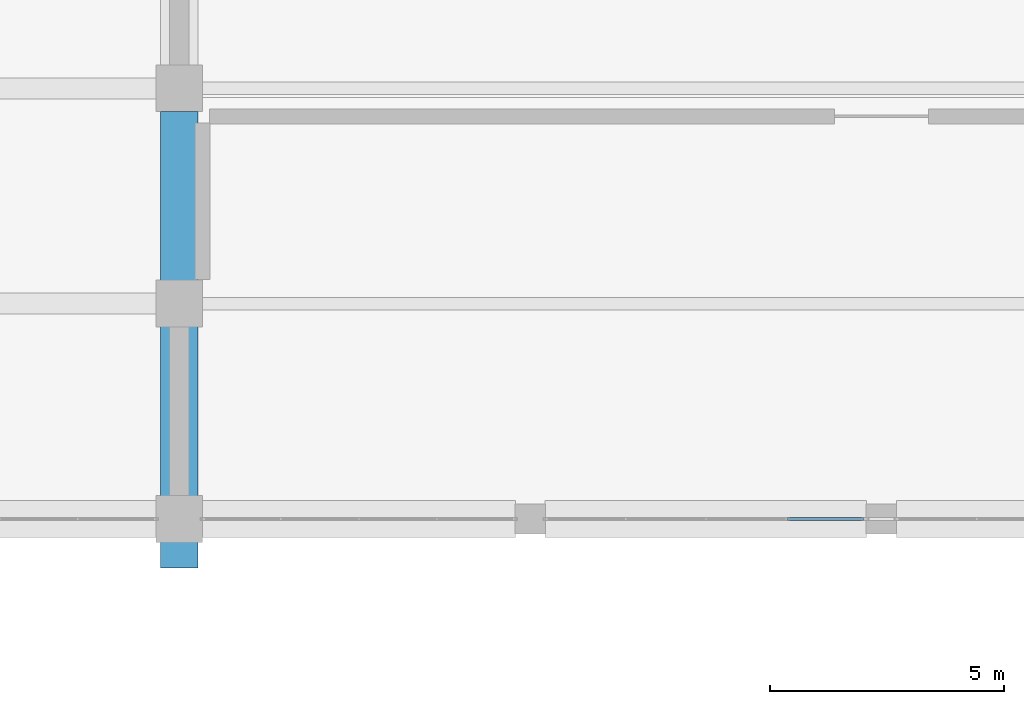
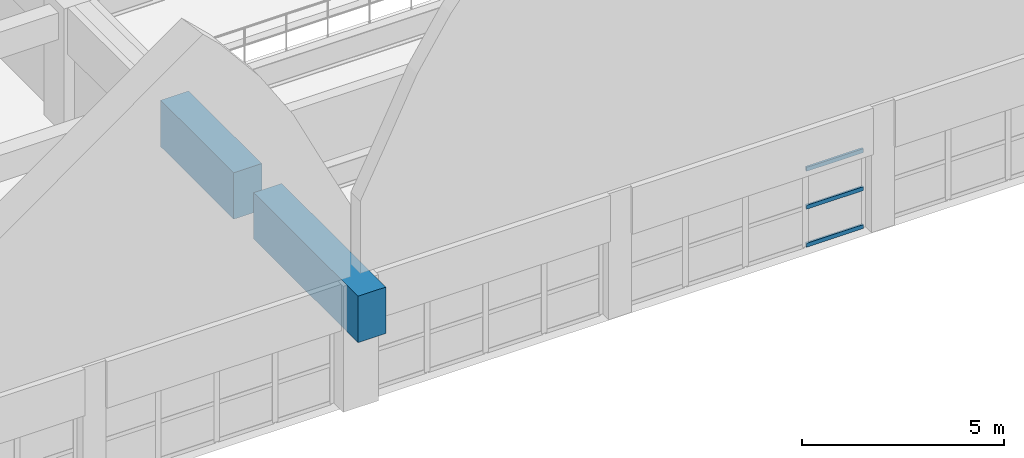
# One storey, part 18 of 74: 3 members, 2 beams, 1 element without a shape of its own.
"""IFC4 building model written with IfcOpenShell, lengths in metres."""

from ifc_helpers import new_model, si_unit, direction, frame, origin, origin_2d, place, context, subcontext, project, spatial, rectangle, hollow_rectangle, extrude, material, layer, layer_set, material_profile, profile_set, type_object, element, aggregate, save


model = new_model("IFC4")

# Units and contexts
model_context = context("Model", 3, precision=1e-05, world=origin(), true_north=direction((0.0, 1.0)))
body_context = subcontext(model_context, "Body", "Model", "MODEL_VIEW")
ifc_project = project(units=[si_unit("LENGTHUNIT", "METRE"), si_unit("AREAUNIT", "SQUARE_METRE"), si_unit("VOLUMEUNIT", "CUBIC_METRE"), si_unit("PLANEANGLEUNIT", "RADIAN"), si_unit("MASSUNIT", "GRAM", prefix="KILO")], contexts=[model_context])

# Site, building, storey
site_placement = place(None, origin())
site = spatial("IfcSite", under=ifc_project, at=site_placement, CompositionType="ELEMENT")
building_placement = place(site_placement, origin())
building = spatial("IfcBuilding", under=site, at=building_placement, Name="Muzn Square Opera House", CompositionType="ELEMENT")
storey_placement = place(building_placement, frame((0.0, 0.0, 14.199951171875)))
storey = spatial("IfcBuildingStorey", under=building, at=storey_placement, Name="L03", CompositionType="ELEMENT", Elevation=14.199951171875)

# Curtain wall, members
ifc_material_1 = material(Name="Low-E laminated acoustic double glazing", Category="glass")
ifc_layer = layer(ifc_material_1, 0.159912109375, Name="Low-E laminated acoustic double glazing", Category="glass")
ifc_layer_set = layer_set([ifc_layer], Name="Low-E laminated acoustic double glazing")
curtain_wall_type = type_object("IfcCurtainWallType", Name="Glazed Curtain Wall Forecourt 6850x2350", PredefinedType="USERDEFINED", material=ifc_layer_set)
curtain_wall_placement = place(storey_placement, origin())
curtain_wall = element("IfcCurtainWall", 1, at=curtain_wall_placement, inside=storey, type_object=curtain_wall_type, Name="Glazed Curtain Wall CW-L03-023", ObjectType="GLAZED CURTAIN WALL", PredefinedType="USERDEFINED")
ifc_material_2 = material(Name="Anodised bronze aluminium 6063-T6", Category="metal")
ifc_material_profile_1 = material_profile(ifc_material_2, hollow_rectangle(XDim=0.06005859375, YDim=0.1201171875, WallThickness=0.00390625, at=origin_2d()), Name="ALU 120x60x4", Category="metal")
ifc_profile_set_1 = profile_set([ifc_material_profile_1], Name="Anodised bronze aluminium 6063-T6")
member_type = type_object("IfcMemberType", Name="Curtain Wall Transom 120x60", PredefinedType="USERDEFINED", material=ifc_profile_set_1)
member_1_placement = place(storey_placement, frame((85.992431640625, 22.0, 0.030029296875), z_axis=(1.0, 0.0, 0.0), x_axis=(0.0, 1.0, 0.0)))
member_1 = element("IfcMember", 2, at=member_1_placement, type_object=member_type, Name="CW-FC-68x23 transom 4.1", ObjectType="TRANSOM", PredefinedType="USERDEFINED", context=body_context, shape_type="SweptSolid", body=[
    extrude(hollow_rectangle(XDim=0.06005859375, YDim=0.1201171875, WallThickness=0.00390625, at=origin_2d()), origin(), (0.0, 0.0, 1.0), 1.62255859375),
])
member_2_placement = place(storey_placement, frame((85.992431640625, 22.0, 1.175048828125), z_axis=(1.0, 0.0, 0.0), x_axis=(0.0, 1.0, 0.0)))
member_2 = element("IfcMember", 3, at=member_2_placement, type_object=member_type, Name="CW-FC-68x23 transom 4.2", ObjectType="TRANSOM", PredefinedType="USERDEFINED", context=body_context, shape_type="SweptSolid", body=[
    extrude(hollow_rectangle(XDim=0.06005859375, YDim=0.1201171875, WallThickness=0.00390625, at=origin_2d()), origin(), (0.0, 0.0, 1.0), 1.62255859375),
])
member_3_placement = place(storey_placement, frame((85.992431640625, 22.0, 2.320068359375), z_axis=(1.0, 0.0, 0.0), x_axis=(0.0, 1.0, 0.0)))
member_3 = element("IfcMember", 4, at=member_3_placement, type_object=member_type, Name="CW-FC-68x23 transom 4.3", ObjectType="TRANSOM", PredefinedType="USERDEFINED", context=body_context, shape_type="SweptSolid", body=[
    extrude(hollow_rectangle(XDim=0.06005859375, YDim=0.1201171875, WallThickness=0.00390625, at=origin_2d()), origin(), (0.0, 0.0, 1.0), 1.62255859375),
])
aggregate(curtain_wall, [member_1, member_2, member_3])

# Beams
ifc_material_3 = material(Name="Concrete C45/55", Category="concrete")
ifc_material_profile_2 = material_profile(ifc_material_3, rectangle(XDim=0.800048828125, YDim=1.39990234375, at=origin_2d()), Name="RCB 800x1400", Category="concrete")
ifc_profile_set_2 = profile_set([ifc_material_profile_2], Name="Concrete C45/55")
beam_type = type_object("IfcBeamType", Name="Vault Springing Girder 800x1400", PredefinedType="BEAM", material=ifc_profile_set_2)
beam_1_placement = place(storey_placement, frame((73.0, 20.949951171875, 3.10009765625), z_axis=(0.0, 1.0, 0.0), x_axis=(-1.0, 0.0, 0.0)))
element("IfcBeam", 5, at=beam_1_placement, inside=storey, type_object=beam_type, Name="Vault Springing Girder BM-L03-BM-VS1400-730_210_730_261-2573", PredefinedType="BEAM", context=body_context, shape_type="SweptSolid", body=[
    extrude(rectangle(XDim=0.800048828125, YDim=1.39990234375, at=origin_2d()), origin(), (0.0, 0.0, 1.0), 5.157958984375),
])
beam_2_placement = place(storey_placement, frame((73.0, 27.092041015625, 3.10009765625), z_axis=(0.0, 1.0, 0.0), x_axis=(-1.0, 0.0, 0.0)))
element("IfcBeam", 6, at=beam_2_placement, inside=storey, type_object=beam_type, Name="Vault Springing Girder BM-L03-BM-VS1400-730_271_730_307-2574", PredefinedType="BEAM", context=body_context, shape_type="SweptSolid", body=[
    extrude(rectangle(XDim=0.800048828125, YDim=1.39990234375, at=origin_2d()), origin(), (0.0, 0.0, 1.0), 3.615966796875),
])

save(model, "model.ifc")
